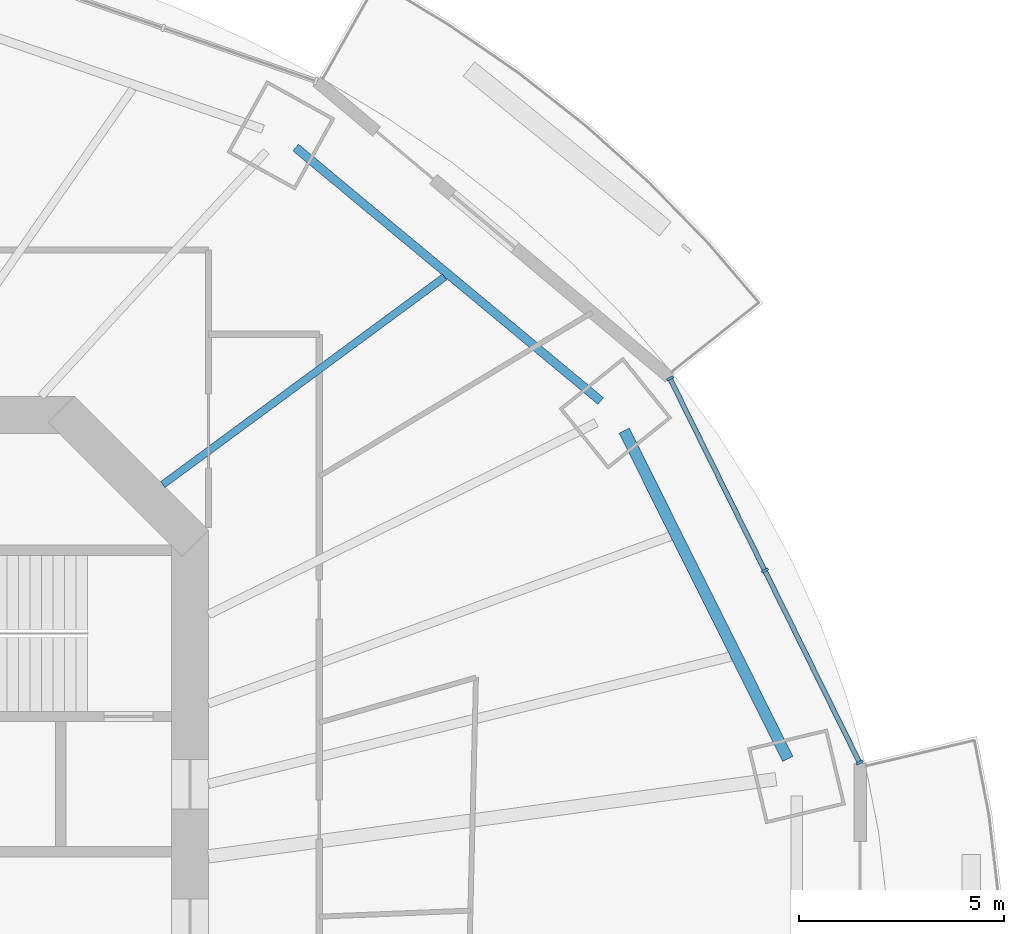
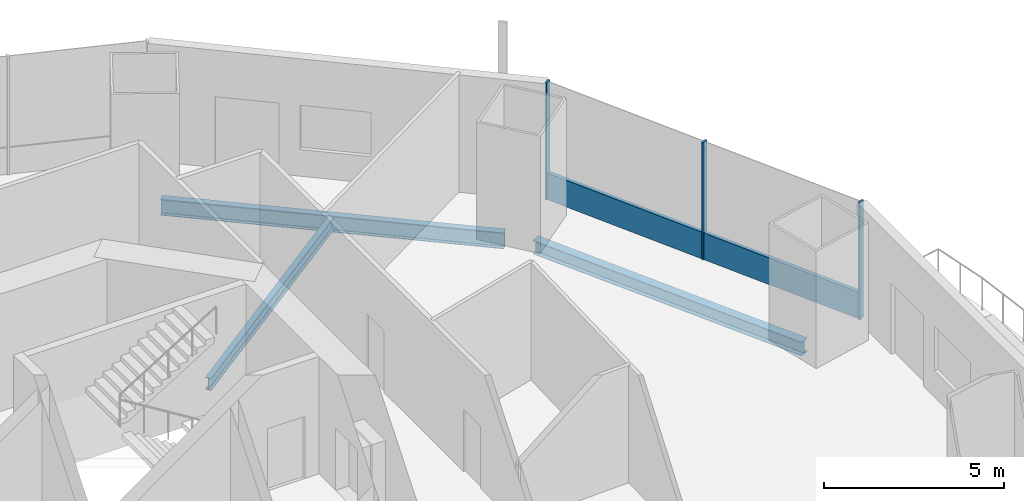
# One storey, part 8 of 20: 4 members, 3 beams, 1 element without a shape of its own.
"""IFC4 building model written with IfcOpenShell, lengths in metres."""

from ifc_helpers import new_model, si_unit, direction, frame, origin, origin_2d, place, context, subcontext, project, spatial, rectangle, i_section, extrude, material, material_profile, profile_set, type_object, element, aggregate, save


model = new_model("IFC4")

# Units and contexts
model_context = context("Model", 3, precision=1e-05, world=origin(), true_north=direction((0.0, 1.0)))
body_context = subcontext(model_context, "Body", "Model", "MODEL_VIEW")
ifc_project = project(units=[si_unit("LENGTHUNIT", "METRE"), si_unit("AREAUNIT", "SQUARE_METRE"), si_unit("VOLUMEUNIT", "CUBIC_METRE"), si_unit("PLANEANGLEUNIT", "RADIAN"), si_unit("MASSUNIT", "GRAM", prefix="KILO")], contexts=[model_context])

# Site, building, storey
site_placement = place(None, origin())
site = spatial("IfcSite", under=ifc_project, at=site_placement, CompositionType="ELEMENT")
building_placement = place(site_placement, origin())
building = spatial("IfcBuilding", under=site, at=building_placement, Name="Marenthal Gate Tower", CompositionType="ELEMENT")
storey_placement = place(building_placement, frame((0.0, 0.0, 219.14990234375)))
storey = spatial("IfcBuildingStorey", under=building, at=storey_placement, Name="L48", CompositionType="ELEMENT", Elevation=219.14990234375)

# Curtain wall, members
ifc_material_1 = material(Name="Aluminium and glass", Category="aluminium")
curtain_wall_type = type_object("IfcCurtainWallType", Name="Curtain wall typical mid", PredefinedType="NOTDEFINED", material=ifc_material_1)
curtain_wall_placement = place(storey_placement, origin())
curtain_wall = element("IfcCurtainWall", 1, at=curtain_wall_placement, inside=storey, type_object=curtain_wall_type, Name="Curtain wall L48 bay 1", PredefinedType="NOTDEFINED")
ifc_material_2 = material(Name="Aluminium", Category="aluminium")
ifc_material_profile_1 = material_profile(ifc_material_2, rectangle(XDim=0.179931640625, YDim=0.06005859375, at=origin_2d()), Name="60x180 aluminium mullion")
ifc_profile_set_1 = profile_set([ifc_material_profile_1], Name="Aluminium")
member_type_1 = type_object("IfcMemberType", Name="Mullion 60x180 typical mid", PredefinedType="MULLION", material=ifc_profile_set_1)
member_1_placement = place(storey_placement, frame((32.318603515625, 4.524658203125, 0.0), z_axis=(0.0, 0.0, 1.0), x_axis=(-0.896756924648, -0.442523466153, 0.0)))
member_1 = element("IfcMember", 2, at=member_1_placement, type_object=member_type_1, Name="Mullion L48 bay 1.1", PredefinedType="MULLION", context=body_context, shape_type="SweptSolid", body=[
    extrude(rectangle(XDim=0.179931640625, YDim=0.06005859375, at=origin_2d()), origin(), (0.0, 0.0, 1.0), 3.97021484375),
])
member_2_placement = place(storey_placement, frame((30.0078125, 9.207275390625, 0.0), z_axis=(0.0, 0.0, 1.0), x_axis=(-0.896756924648, -0.442523466153, 0.0)))
member_2 = element("IfcMember", 3, at=member_2_placement, type_object=member_type_1, Name="Mullion L48 bay 1.2", PredefinedType="MULLION", context=body_context, shape_type="SweptSolid", body=[
    extrude(rectangle(XDim=0.179931640625, YDim=0.06005859375, at=origin_2d()), origin(), (0.0, 0.0, 1.0), 3.97021484375),
])
member_3_placement = place(storey_placement, frame((27.69677734375, 13.89013671875, 0.0), z_axis=(0.0, 0.0, 1.0), x_axis=(-0.896756924648, -0.442523466153, 0.0)))
member_3 = element("IfcMember", 4, at=member_3_placement, type_object=member_type_1, Name="Mullion L48 bay 1.3", PredefinedType="MULLION", context=body_context, shape_type="SweptSolid", body=[
    extrude(rectangle(XDim=0.179931640625, YDim=0.06005859375, at=origin_2d()), origin(), (0.0, 0.0, 1.0), 3.97021484375),
])
ifc_material_3 = material(Name="Aluminium", Category="aluminium")
ifc_material_profile_2 = material_profile(ifc_material_3, rectangle(XDim=0.1201171875, YDim=0.89990234375, at=origin_2d()), Name="120x900 aluminium transom")
ifc_profile_set_2 = profile_set([ifc_material_profile_2], Name="Aluminium")
member_type_2 = type_object("IfcMemberType", Name="Transom 120x900 typical mid", PredefinedType="USERDEFINED", material=ifc_profile_set_2)
member_4_placement = place(storey_placement, frame((32.30517578125, 4.551513671875, 0.4501953125), z_axis=(-0.44251449594, 0.896761351131, 0.0), x_axis=(-0.896761351131, -0.44251449594, 0.0)))
member_4 = element("IfcMember", 5, at=member_4_placement, type_object=member_type_2, Name="Transom L48 bay 1", ObjectType="TRANSOM", PredefinedType="USERDEFINED", context=body_context, shape_type="SweptSolid", body=[
    extrude(rectangle(XDim=0.1201171875, YDim=0.89990234375, at=origin_2d()), origin(), (0.0, 0.0, 1.0), 10.3837890625),
])
aggregate(curtain_wall, [member_1, member_2, member_3, member_4])

# Beams
ifc_material_4 = material(Name="Steel S355", Category="steel")
ifc_material_profile_3 = material_profile(ifc_material_4, i_section(OverallWidth=0.180908203125, OverallDepth=0.4169921875, WebThickness=0.010986328125, FlangeThickness=0.018310546875, FilletRadius=0.01025390625, at=origin_2d()), Name="W410X85")
ifc_profile_set_3 = profile_set([ifc_material_profile_3], Name="Steel S355")
beam_type_1 = type_object("IfcBeamType", Name="W410X85 beam", PredefinedType="BEAM", material=ifc_profile_set_3)
beam_1_placement = place(storey_placement, frame((22.20556640625, 16.361083984375, -0.388427734375), z_axis=(-0.805066625037, -0.593184397343, 0.0), x_axis=(0.593184397343, -0.805066625037, 0.0)))
element("IfcBeam", 6, at=beam_1_placement, inside=storey, type_object=beam_type_1, Name="BM-L48-19", PredefinedType="BEAM", context=body_context, shape_type="SweptSolid", body=[
    extrude(i_section(OverallWidth=0.180908203125, OverallDepth=0.4169921875, WebThickness=0.010986328125, FlangeThickness=0.018310546875, FilletRadius=0.01025390625, at=origin_2d()), origin(), (0.0, 0.0, 1.0), 8.532470703125),
])
ifc_material_5 = material(Name="Steel S355", Category="steel")
ifc_material_profile_4 = material_profile(ifc_material_5, i_section(OverallWidth=0.279052734375, OverallDepth=0.4619140625, WebThickness=0.0107421875, FlangeThickness=0.017333984375, FilletRadius=0.010009765625, at=origin_2d()), Name="W460X113")
ifc_profile_set_4 = profile_set([ifc_material_profile_4], Name="Steel S355")
beam_type_2 = type_object("IfcBeamType", Name="W460X113 beam", PredefinedType="BEAM", material=ifc_profile_set_4)
beam_2_placement = place(storey_placement, frame((30.5703125, 4.61474609375, -0.410888671875), z_axis=(-0.44619754622, 0.894934494668, 0.0), x_axis=(-0.894934494668, -0.44619754622, 0.0)))
element("IfcBeam", 7, at=beam_2_placement, inside=storey, type_object=beam_type_2, Name="BM-L48-41", PredefinedType="BEAM", context=body_context, shape_type="SweptSolid", body=[
    extrude(i_section(OverallWidth=0.279052734375, OverallDepth=0.4619140625, WebThickness=0.0107421875, FlangeThickness=0.017333984375, FilletRadius=0.010009765625, at=origin_2d()), origin(), (0.0, 0.0, 1.0), 8.941162109375),
])
ifc_material_6 = material(Name="Steel S355", Category="steel")
ifc_material_profile_5 = material_profile(ifc_material_6, i_section(OverallWidth=0.2119140625, OverallDepth=0.5439453125, WebThickness=0.01318359375, FlangeThickness=0.021240234375, FilletRadius=0.0126953125, at=origin_2d()), Name="W530X123")
ifc_profile_set_5 = profile_set([ifc_material_profile_5], Name="Steel S355")
beam_type_3 = type_object("IfcBeamType", Name="W530X123 beam", PredefinedType="BEAM", material=ifc_profile_set_5)
beam_3_placement = place(storey_placement, frame((26.0087890625, 13.339111328125, -0.451904296875), z_axis=(-0.769164771419, 0.63905051006, 0.0), x_axis=(-0.63905051006, -0.769164771419, 0.0)))
element("IfcBeam", 8, at=beam_3_placement, inside=storey, type_object=beam_type_3, Name="BM-L48-42", PredefinedType="BEAM", context=body_context, shape_type="SweptSolid", body=[
    extrude(i_section(OverallWidth=0.2119140625, OverallDepth=0.5439453125, WebThickness=0.01318359375, FlangeThickness=0.021240234375, FilletRadius=0.0126953125, at=origin_2d()), origin(), (0.0, 0.0, 1.0), 9.663330078125),
])

save(model, "model.ifc")
